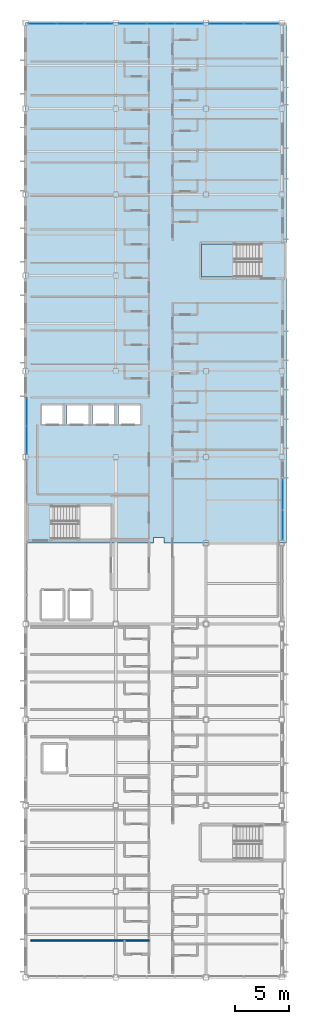
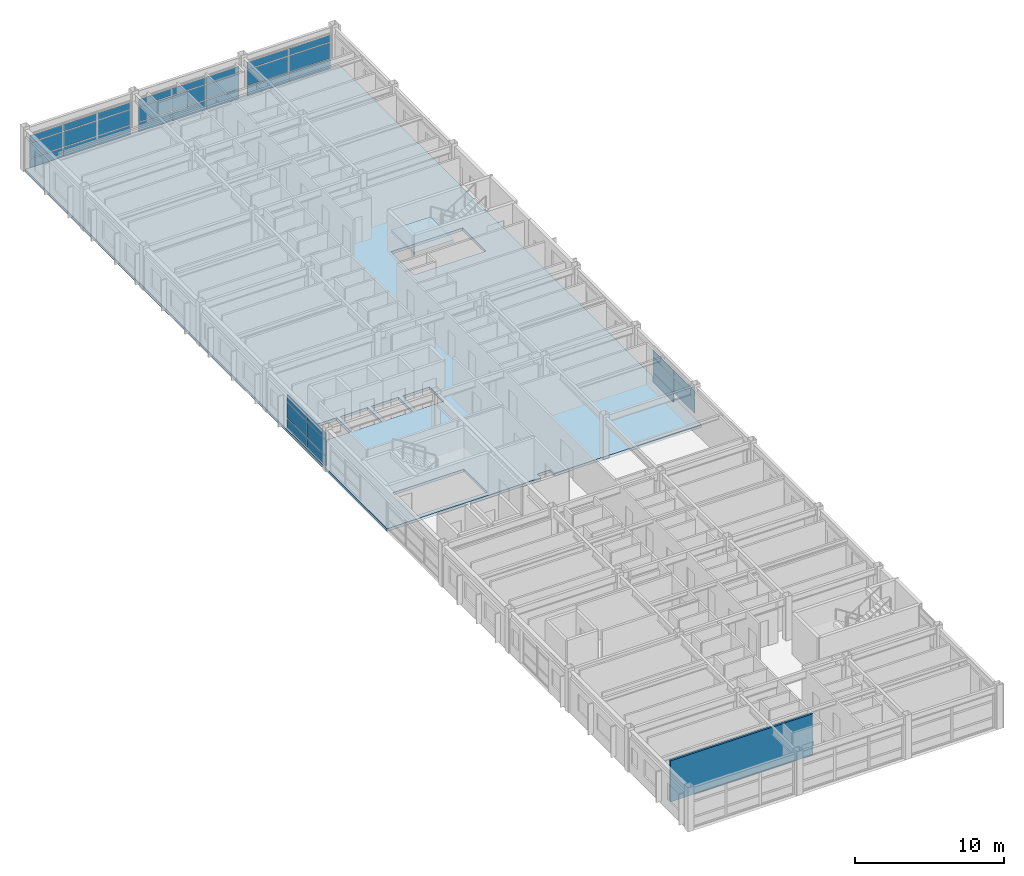
# One storey, part 22 of 35: 35 plates, 2 slabs, 1 wall, 6 elements without a shape of their own.
"""IFC4 building model written with IfcOpenShell, lengths in metres."""

from ifc_helpers import new_model, si_unit, direction, frame, frame_2d, origin, origin_2d, place, context, subcontext, project, spatial, polyline, rectangle, outline, extrude, material, layer, layer_set, type_object, element, aggregate, save


model = new_model("IFC4")

# Units and contexts
model_context = context("Model", 3, precision=1e-05, world=origin(), true_north=direction((0.0, 1.0)))
body_context = subcontext(model_context, "Body", "Model", "MODEL_VIEW")
ifc_project = project(units=[si_unit("LENGTHUNIT", "METRE"), si_unit("AREAUNIT", "SQUARE_METRE"), si_unit("VOLUMEUNIT", "CUBIC_METRE"), si_unit("PLANEANGLEUNIT", "RADIAN"), si_unit("MASSUNIT", "GRAM", prefix="KILO")], contexts=[model_context])

# Site, building, storey
site_placement = place(None, origin())
site = spatial("IfcSite", under=ifc_project, at=site_placement, CompositionType="ELEMENT")
building_placement = place(site_placement, origin())
building = spatial("IfcBuilding", under=site, at=building_placement, Name="Kazehara Bluff Congress Hotel", CompositionType="ELEMENT")
storey_placement = place(building_placement, frame((0.0, 0.0, 35.39990234375)))
storey = spatial("IfcBuildingStorey", under=building, at=storey_placement, Name="L08", CompositionType="ELEMENT", Elevation=35.39990234375)

# Curtain wall, plates
ifc_material_1 = material(Name="Anodised aluminium", Category="aluminium")
ifc_layer_1 = layer(ifc_material_1, 0.159912109375)
ifc_layer_set_1 = layer_set([ifc_layer_1], Name="Anodised aluminium")
curtain_wall_type_1 = type_object("IfcCurtainWallType", Name="TP-CW-189", PredefinedType="NOTDEFINED", material=ifc_layer_set_1)
curtain_wall_1_placement = place(storey_placement, origin())
curtain_wall_1 = element("IfcCurtainWall", 1, at=curtain_wall_1_placement, inside=storey, type_object=curtain_wall_type_1, Name="L08 curtain wall CW-189 CW-ENC-V5-L08-16765-5155", PredefinedType="NOTDEFINED")
ifc_material_2 = material(Name="Insulated low-E double glazing", Category="glass")
ifc_layer_2 = layer(ifc_material_2, 0.028076171875)
ifc_layer_set_2 = layer_set([ifc_layer_2], Name="Insulated low-E double glazing")
plate_type = type_object("IfcPlateType", Name="TP-CWP-01", PredefinedType="CURTAIN_PANEL", material=ifc_layer_set_2)
plate_1_placement = place(storey_placement, frame((167.64990234375, 52.9599609375, 0.06005859375), z_axis=(0.0, 0.0, 1.0), x_axis=(0.0, -1.0, 0.0)))
plate_1 = element("IfcPlate", 2, at=plate_1_placement, type_object=plate_type, Name="CW-189 panel 1.1", PredefinedType="CURTAIN_PANEL", context=body_context, shape_type="SweptSolid", body=[
    extrude(rectangle(XDim=2.760009765625, YDim=0.028076171875, at=origin_2d()), origin(), (0.0, 0.0, 1.0), 0.735107421875),
])
plate_2_placement = place(storey_placement, frame((167.64990234375, 52.9599609375, 0.85498046875), z_axis=(0.0, 0.0, 1.0), x_axis=(0.0, -1.0, 0.0)))
plate_2 = element("IfcPlate", 3, at=plate_2_placement, type_object=plate_type, Name="CW-189 panel 1.2", PredefinedType="CURTAIN_PANEL", context=body_context, shape_type="SweptSolid", body=[
    extrude(rectangle(XDim=2.760009765625, YDim=0.028076171875, at=origin_2d()), origin(), (0.0, 0.0, 1.0), 1.219970703125),
])
plate_3_placement = place(storey_placement, frame((167.64990234375, 52.9599609375, 2.135009765625), z_axis=(0.0, 0.0, 1.0), x_axis=(0.0, -1.0, 0.0)))
plate_3 = element("IfcPlate", 4, at=plate_3_placement, type_object=plate_type, Name="CW-189 panel 1.3", PredefinedType="CURTAIN_PANEL", context=body_context, shape_type="SweptSolid", body=[
    extrude(rectangle(XDim=2.760009765625, YDim=0.028076171875, at=origin_2d()), origin(), (0.0, 0.0, 1.0), 0.56005859375),
])
plate_4_placement = place(storey_placement, frame((167.64990234375, 50.139892578125, 0.85498046875), z_axis=(0.0, 0.0, 1.0), x_axis=(0.0, -1.0, 0.0)))
plate_4 = element("IfcPlate", 5, at=plate_4_placement, type_object=plate_type, Name="CW-189 panel 2.2", PredefinedType="CURTAIN_PANEL", context=body_context, shape_type="SweptSolid", body=[
    extrude(rectangle(XDim=2.760009765625, YDim=0.028076171875, at=origin_2d()), origin(), (0.0, 0.0, 1.0), 1.219970703125),
])
plate_5_placement = place(storey_placement, frame((167.64990234375, 50.139892578125, 2.135009765625), z_axis=(0.0, 0.0, 1.0), x_axis=(0.0, -1.0, 0.0)))
plate_5 = element("IfcPlate", 6, at=plate_5_placement, type_object=plate_type, Name="CW-189 panel 2.3", PredefinedType="CURTAIN_PANEL", context=body_context, shape_type="SweptSolid", body=[
    extrude(rectangle(XDim=2.760009765625, YDim=0.028076171875, at=origin_2d()), origin(), (0.0, 0.0, 1.0), 0.56005859375),
])
aggregate(curtain_wall_1, [plate_1, plate_2, plate_3, plate_4, plate_5])

ifc_material_3 = material(Name="Anodised aluminium", Category="aluminium")
ifc_layer_3 = layer(ifc_material_3, 0.159912109375)
ifc_layer_set_3 = layer_set([ifc_layer_3], Name="Anodised aluminium")
curtain_wall_type_2 = type_object("IfcCurtainWallType", Name="TP-CW-185", PredefinedType="NOTDEFINED", material=ifc_layer_set_3)
curtain_wall_2_placement = place(storey_placement, origin())
curtain_wall_2 = element("IfcCurtainWall", 7, at=curtain_wall_2_placement, inside=storey, type_object=curtain_wall_type_2, Name="L08 curtain wall CW-185 CW-ENC-V5-L08-14790-9680", PredefinedType="NOTDEFINED")
plate_6_placement = place(storey_placement, frame((145.282958984375, 96.800048828125, 0.065185546875), z_axis=(0.0, 0.0, 1.0), x_axis=(1.0, 0.0, 0.0)))
plate_6 = element("IfcPlate", 8, at=plate_6_placement, type_object=plate_type, Name="CW-185 panel 1.1", PredefinedType="CURTAIN_PANEL", context=body_context, shape_type="SweptSolid", body=[
    extrude(rectangle(XDim=2.535888671875, YDim=0.028076171875, at=origin_2d()), origin(), (0.0, 0.0, 1.0), 0.7275390625),
])
plate_7_placement = place(storey_placement, frame((145.282958984375, 96.800048828125, 0.857421875), z_axis=(0.0, 0.0, 1.0), x_axis=(1.0, 0.0, 0.0)))
plate_7 = element("IfcPlate", 9, at=plate_7_placement, type_object=plate_type, Name="CW-185 panel 1.2", PredefinedType="CURTAIN_PANEL", context=body_context, shape_type="SweptSolid", body=[
    extrude(rectangle(XDim=2.535888671875, YDim=0.028076171875, at=origin_2d()), origin(), (0.0, 0.0, 1.0), 1.215087890625),
])
plate_8_placement = place(storey_placement, frame((145.282958984375, 96.800048828125, 2.1376953125), z_axis=(0.0, 0.0, 1.0), x_axis=(1.0, 0.0, 0.0)))
plate_8 = element("IfcPlate", 10, at=plate_8_placement, type_object=plate_type, Name="CW-185 panel 1.3", PredefinedType="CURTAIN_PANEL", context=body_context, shape_type="SweptSolid", body=[
    extrude(rectangle(XDim=2.535888671875, YDim=0.028076171875, at=origin_2d()), origin(), (0.0, 0.0, 1.0), 0.552490234375),
])
plate_9_placement = place(storey_placement, frame((147.89990234375, 96.800048828125, 0.065185546875), z_axis=(0.0, 0.0, 1.0), x_axis=(1.0, 0.0, 0.0)))
plate_9 = element("IfcPlate", 11, at=plate_9_placement, type_object=plate_type, Name="CW-185 panel 2.1", PredefinedType="CURTAIN_PANEL", context=body_context, shape_type="SweptSolid", body=[
    extrude(rectangle(XDim=2.568359375, YDim=0.028076171875, at=origin_2d()), origin(), (0.0, 0.0, 1.0), 0.7275390625),
])
plate_10_placement = place(storey_placement, frame((147.89990234375, 96.800048828125, 0.857421875), z_axis=(0.0, 0.0, 1.0), x_axis=(1.0, 0.0, 0.0)))
plate_10 = element("IfcPlate", 12, at=plate_10_placement, type_object=plate_type, Name="CW-185 panel 2.2", PredefinedType="CURTAIN_PANEL", context=body_context, shape_type="SweptSolid", body=[
    extrude(rectangle(XDim=2.568359375, YDim=0.028076171875, at=origin_2d()), origin(), (0.0, 0.0, 1.0), 1.215087890625),
])
plate_11_placement = place(storey_placement, frame((147.89990234375, 96.800048828125, 2.1376953125), z_axis=(0.0, 0.0, 1.0), x_axis=(1.0, 0.0, 0.0)))
plate_11 = element("IfcPlate", 13, at=plate_11_placement, type_object=plate_type, Name="CW-185 panel 2.3", PredefinedType="CURTAIN_PANEL", context=body_context, shape_type="SweptSolid", body=[
    extrude(rectangle(XDim=2.568359375, YDim=0.028076171875, at=origin_2d()), origin(), (0.0, 0.0, 1.0), 0.552490234375),
])
plate_12_placement = place(storey_placement, frame((150.51708984375, 96.800048828125, 0.065185546875), z_axis=(0.0, 0.0, 1.0), x_axis=(1.0, 0.0, 0.0)))
plate_12 = element("IfcPlate", 14, at=plate_12_placement, type_object=plate_type, Name="CW-185 panel 3.1", PredefinedType="CURTAIN_PANEL", context=body_context, shape_type="SweptSolid", body=[
    extrude(rectangle(XDim=2.535888671875, YDim=0.028076171875, at=origin_2d()), origin(), (0.0, 0.0, 1.0), 0.7275390625),
])
plate_13_placement = place(storey_placement, frame((150.51708984375, 96.800048828125, 0.857421875), z_axis=(0.0, 0.0, 1.0), x_axis=(1.0, 0.0, 0.0)))
plate_13 = element("IfcPlate", 15, at=plate_13_placement, type_object=plate_type, Name="CW-185 panel 3.2", PredefinedType="CURTAIN_PANEL", context=body_context, shape_type="SweptSolid", body=[
    extrude(rectangle(XDim=2.535888671875, YDim=0.028076171875, at=origin_2d()), origin(), (0.0, 0.0, 1.0), 1.215087890625),
])
plate_14_placement = place(storey_placement, frame((150.51708984375, 96.800048828125, 2.1376953125), z_axis=(0.0, 0.0, 1.0), x_axis=(1.0, 0.0, 0.0)))
plate_14 = element("IfcPlate", 16, at=plate_14_placement, type_object=plate_type, Name="CW-185 panel 3.3", PredefinedType="CURTAIN_PANEL", context=body_context, shape_type="SweptSolid", body=[
    extrude(rectangle(XDim=2.535888671875, YDim=0.028076171875, at=origin_2d()), origin(), (0.0, 0.0, 1.0), 0.552490234375),
])
aggregate(curtain_wall_2, [plate_6, plate_7, plate_8, plate_9, plate_10, plate_11, plate_12, plate_13, plate_14])

curtain_wall_3_placement = place(storey_placement, origin())
curtain_wall_3 = element("IfcCurtainWall", 17, at=curtain_wall_3_placement, inside=storey, type_object=curtain_wall_type_2, Name="L08 curtain wall CW-185 CW-ENC-V5-L08-15630-9680", PredefinedType="NOTDEFINED")
plate_15_placement = place(storey_placement, frame((153.682861328125, 96.800048828125, 0.065185546875), z_axis=(0.0, 0.0, 1.0), x_axis=(1.0, 0.0, 0.0)))
plate_15 = element("IfcPlate", 18, at=plate_15_placement, type_object=plate_type, Name="CW-185 panel 1.1", PredefinedType="CURTAIN_PANEL", context=body_context, shape_type="SweptSolid", body=[
    extrude(rectangle(XDim=2.535888671875, YDim=0.028076171875, at=origin_2d()), origin(), (0.0, 0.0, 1.0), 0.7275390625),
])
plate_16_placement = place(storey_placement, frame((153.682861328125, 96.800048828125, 0.857421875), z_axis=(0.0, 0.0, 1.0), x_axis=(1.0, 0.0, 0.0)))
plate_16 = element("IfcPlate", 19, at=plate_16_placement, type_object=plate_type, Name="CW-185 panel 1.2", PredefinedType="CURTAIN_PANEL", context=body_context, shape_type="SweptSolid", body=[
    extrude(rectangle(XDim=2.535888671875, YDim=0.028076171875, at=origin_2d()), origin(), (0.0, 0.0, 1.0), 1.215087890625),
])
plate_17_placement = place(storey_placement, frame((153.682861328125, 96.800048828125, 2.1376953125), z_axis=(0.0, 0.0, 1.0), x_axis=(1.0, 0.0, 0.0)))
plate_17 = element("IfcPlate", 20, at=plate_17_placement, type_object=plate_type, Name="CW-185 panel 1.3", PredefinedType="CURTAIN_PANEL", context=body_context, shape_type="SweptSolid", body=[
    extrude(rectangle(XDim=2.535888671875, YDim=0.028076171875, at=origin_2d()), origin(), (0.0, 0.0, 1.0), 0.552490234375),
])
plate_18_placement = place(storey_placement, frame((156.300048828125, 96.800048828125, 0.065185546875), z_axis=(0.0, 0.0, 1.0), x_axis=(1.0, 0.0, 0.0)))
plate_18 = element("IfcPlate", 21, at=plate_18_placement, type_object=plate_type, Name="CW-185 panel 2.1", PredefinedType="CURTAIN_PANEL", context=body_context, shape_type="SweptSolid", body=[
    extrude(rectangle(XDim=2.568359375, YDim=0.028076171875, at=origin_2d()), origin(), (0.0, 0.0, 1.0), 0.7275390625),
])
plate_19_placement = place(storey_placement, frame((156.300048828125, 96.800048828125, 0.857421875), z_axis=(0.0, 0.0, 1.0), x_axis=(1.0, 0.0, 0.0)))
plate_19 = element("IfcPlate", 22, at=plate_19_placement, type_object=plate_type, Name="CW-185 panel 2.2", PredefinedType="CURTAIN_PANEL", context=body_context, shape_type="SweptSolid", body=[
    extrude(rectangle(XDim=2.568359375, YDim=0.028076171875, at=origin_2d()), origin(), (0.0, 0.0, 1.0), 1.215087890625),
])
plate_20_placement = place(storey_placement, frame((156.300048828125, 96.800048828125, 2.1376953125), z_axis=(0.0, 0.0, 1.0), x_axis=(1.0, 0.0, 0.0)))
plate_20 = element("IfcPlate", 23, at=plate_20_placement, type_object=plate_type, Name="CW-185 panel 2.3", PredefinedType="CURTAIN_PANEL", context=body_context, shape_type="SweptSolid", body=[
    extrude(rectangle(XDim=2.568359375, YDim=0.028076171875, at=origin_2d()), origin(), (0.0, 0.0, 1.0), 0.552490234375),
])
plate_21_placement = place(storey_placement, frame((158.9169921875, 96.800048828125, 0.065185546875), z_axis=(0.0, 0.0, 1.0), x_axis=(1.0, 0.0, 0.0)))
plate_21 = element("IfcPlate", 24, at=plate_21_placement, type_object=plate_type, Name="CW-185 panel 3.1", PredefinedType="CURTAIN_PANEL", context=body_context, shape_type="SweptSolid", body=[
    extrude(rectangle(XDim=2.535888671875, YDim=0.028076171875, at=origin_2d()), origin(), (0.0, 0.0, 1.0), 0.7275390625),
])
plate_22_placement = place(storey_placement, frame((158.9169921875, 96.800048828125, 0.857421875), z_axis=(0.0, 0.0, 1.0), x_axis=(1.0, 0.0, 0.0)))
plate_22 = element("IfcPlate", 25, at=plate_22_placement, type_object=plate_type, Name="CW-185 panel 3.2", PredefinedType="CURTAIN_PANEL", context=body_context, shape_type="SweptSolid", body=[
    extrude(rectangle(XDim=2.535888671875, YDim=0.028076171875, at=origin_2d()), origin(), (0.0, 0.0, 1.0), 1.215087890625),
])
plate_23_placement = place(storey_placement, frame((158.9169921875, 96.800048828125, 2.1376953125), z_axis=(0.0, 0.0, 1.0), x_axis=(1.0, 0.0, 0.0)))
plate_23 = element("IfcPlate", 26, at=plate_23_placement, type_object=plate_type, Name="CW-185 panel 3.3", PredefinedType="CURTAIN_PANEL", context=body_context, shape_type="SweptSolid", body=[
    extrude(rectangle(XDim=2.535888671875, YDim=0.028076171875, at=origin_2d()), origin(), (0.0, 0.0, 1.0), 0.552490234375),
])
aggregate(curtain_wall_3, [plate_15, plate_16, plate_17, plate_18, plate_19, plate_20, plate_21, plate_22, plate_23])

ifc_material_4 = material(Name="Anodised aluminium", Category="aluminium")
ifc_layer_4 = layer(ifc_material_4, 0.159912109375)
ifc_layer_set_4 = layer_set([ifc_layer_4], Name="Anodised aluminium")
curtain_wall_type_3 = type_object("IfcCurtainWallType", Name="TP-CW-186", PredefinedType="NOTDEFINED", material=ifc_layer_set_4)
curtain_wall_4_placement = place(storey_placement, origin())
curtain_wall_4 = element("IfcCurtainWall", 27, at=curtain_wall_4_placement, inside=storey, type_object=curtain_wall_type_3, Name="L08 curtain wall CW-186 CW-ENC-V5-L08-16402-9680", PredefinedType="NOTDEFINED")
plate_24_placement = place(storey_placement, frame((162.40380859375, 96.800048828125, 0.06494140625), z_axis=(0.0, 0.0, 1.0), x_axis=(1.0, 0.0, 0.0)))
plate_24 = element("IfcPlate", 28, at=plate_24_placement, type_object=plate_type, Name="CW-186 panel 1.1", PredefinedType="CURTAIN_PANEL", context=body_context, shape_type="SweptSolid", body=[
    extrude(rectangle(XDim=3.177490234375, YDim=0.028076171875, at=origin_2d()), origin(), (0.0, 0.0, 1.0), 0.757568359375),
])
plate_25_placement = place(storey_placement, frame((162.40380859375, 96.800048828125, 0.8876953125), z_axis=(0.0, 0.0, 1.0), x_axis=(1.0, 0.0, 0.0)))
plate_25 = element("IfcPlate", 29, at=plate_25_placement, type_object=plate_type, Name="CW-186 panel 1.2", PredefinedType="CURTAIN_PANEL", context=body_context, shape_type="SweptSolid", body=[
    extrude(rectangle(XDim=3.177490234375, YDim=0.028076171875, at=origin_2d()), origin(), (0.0, 0.0, 1.0), 1.284912109375),
])
plate_26_placement = place(storey_placement, frame((162.40380859375, 96.800048828125, 2.23779296875), z_axis=(0.0, 0.0, 1.0), x_axis=(1.0, 0.0, 0.0)))
plate_26 = element("IfcPlate", 30, at=plate_26_placement, type_object=plate_type, Name="CW-186 panel 1.3", PredefinedType="CURTAIN_PANEL", context=body_context, shape_type="SweptSolid", body=[
    extrude(rectangle(XDim=3.177490234375, YDim=0.028076171875, at=origin_2d()), origin(), (0.0, 0.0, 1.0), 0.552490234375),
])
plate_27_placement = place(storey_placement, frame((165.646240234375, 96.800048828125, 0.06494140625), z_axis=(0.0, 0.0, 1.0), x_axis=(1.0, 0.0, 0.0)))
plate_27 = element("IfcPlate", 31, at=plate_27_placement, type_object=plate_type, Name="CW-186 panel 2.1", PredefinedType="CURTAIN_PANEL", context=body_context, shape_type="SweptSolid", body=[
    extrude(rectangle(XDim=3.177490234375, YDim=0.028076171875, at=origin_2d()), origin(), (0.0, 0.0, 1.0), 0.757568359375),
])
plate_28_placement = place(storey_placement, frame((165.646240234375, 96.800048828125, 0.8876953125), z_axis=(0.0, 0.0, 1.0), x_axis=(1.0, 0.0, 0.0)))
plate_28 = element("IfcPlate", 32, at=plate_28_placement, type_object=plate_type, Name="CW-186 panel 2.2", PredefinedType="CURTAIN_PANEL", context=body_context, shape_type="SweptSolid", body=[
    extrude(rectangle(XDim=3.177490234375, YDim=0.028076171875, at=origin_2d()), origin(), (0.0, 0.0, 1.0), 1.284912109375),
])
plate_29_placement = place(storey_placement, frame((165.646240234375, 96.800048828125, 2.23779296875), z_axis=(0.0, 0.0, 1.0), x_axis=(1.0, 0.0, 0.0)))
plate_29 = element("IfcPlate", 33, at=plate_29_placement, type_object=plate_type, Name="CW-186 panel 2.3", PredefinedType="CURTAIN_PANEL", context=body_context, shape_type="SweptSolid", body=[
    extrude(rectangle(XDim=3.177490234375, YDim=0.028076171875, at=origin_2d()), origin(), (0.0, 0.0, 1.0), 0.552490234375),
])
aggregate(curtain_wall_4, [plate_24, plate_25, plate_26, plate_27, plate_28, plate_29])

ifc_material_5 = material(Name="Anodised aluminium", Category="aluminium")
ifc_layer_5 = layer(ifc_material_5, 0.159912109375)
ifc_layer_set_5 = layer_set([ifc_layer_5], Name="Anodised aluminium")
curtain_wall_type_4 = type_object("IfcCurtainWallType", Name="TP-CW-192", PredefinedType="NOTDEFINED", material=ifc_layer_set_5)
curtain_wall_5_placement = place(storey_placement, origin())
curtain_wall_5 = element("IfcCurtainWall", 34, at=curtain_wall_5_placement, inside=storey, type_object=curtain_wall_type_4, Name="L08 curtain wall CW-192 CW-ENC-V5-L08-14380-5935", PredefinedType="NOTDEFINED")
plate_30_placement = place(storey_placement, frame((143.800048828125, 58.0400390625, 0.06005859375), z_axis=(0.0, 0.0, 1.0), x_axis=(0.0, 1.0, 0.0)))
plate_30 = element("IfcPlate", 35, at=plate_30_placement, type_object=plate_type, Name="CW-192 panel 1.1", PredefinedType="CURTAIN_PANEL", context=body_context, shape_type="SweptSolid", body=[
    extrude(rectangle(XDim=2.56005859375, YDim=0.028076171875, at=origin_2d()), origin(), (0.0, 0.0, 1.0), 0.75),
])
plate_31_placement = place(storey_placement, frame((143.800048828125, 58.0400390625, 0.8701171875), z_axis=(0.0, 0.0, 1.0), x_axis=(0.0, 1.0, 0.0)))
plate_31 = element("IfcPlate", 36, at=plate_31_placement, type_object=plate_type, Name="CW-192 panel 1.2", PredefinedType="CURTAIN_PANEL", context=body_context, shape_type="SweptSolid", body=[
    extrude(rectangle(XDim=2.56005859375, YDim=0.028076171875, at=origin_2d()), origin(), (0.0, 0.0, 1.0), 1.2548828125),
])
plate_32_placement = place(storey_placement, frame((143.800048828125, 58.0400390625, 2.18505859375), z_axis=(0.0, 0.0, 1.0), x_axis=(0.0, 1.0, 0.0)))
plate_32 = element("IfcPlate", 37, at=plate_32_placement, type_object=plate_type, Name="CW-192 panel 1.3", PredefinedType="CURTAIN_PANEL", context=body_context, shape_type="SweptSolid", body=[
    extrude(rectangle(XDim=2.56005859375, YDim=0.028076171875, at=origin_2d()), origin(), (0.0, 0.0, 1.0), 0.56005859375),
])
plate_33_placement = place(storey_placement, frame((143.800048828125, 60.659912109375, 0.06005859375), z_axis=(0.0, 0.0, 1.0), x_axis=(0.0, 1.0, 0.0)))
plate_33 = element("IfcPlate", 38, at=plate_33_placement, type_object=plate_type, Name="CW-192 panel 2.1", PredefinedType="CURTAIN_PANEL", context=body_context, shape_type="SweptSolid", body=[
    extrude(rectangle(XDim=2.56005859375, YDim=0.028076171875, at=origin_2d()), origin(), (0.0, 0.0, 1.0), 0.75),
])
plate_34_placement = place(storey_placement, frame((143.800048828125, 60.659912109375, 0.8701171875), z_axis=(0.0, 0.0, 1.0), x_axis=(0.0, 1.0, 0.0)))
plate_34 = element("IfcPlate", 39, at=plate_34_placement, type_object=plate_type, Name="CW-192 panel 2.2", PredefinedType="CURTAIN_PANEL", context=body_context, shape_type="SweptSolid", body=[
    extrude(rectangle(XDim=2.56005859375, YDim=0.028076171875, at=origin_2d()), origin(), (0.0, 0.0, 1.0), 1.2548828125),
])
plate_35_placement = place(storey_placement, frame((143.800048828125, 60.659912109375, 2.18505859375), z_axis=(0.0, 0.0, 1.0), x_axis=(0.0, 1.0, 0.0)))
plate_35 = element("IfcPlate", 40, at=plate_35_placement, type_object=plate_type, Name="CW-192 panel 2.3", PredefinedType="CURTAIN_PANEL", context=body_context, shape_type="SweptSolid", body=[
    extrude(rectangle(XDim=2.56005859375, YDim=0.028076171875, at=origin_2d()), origin(), (0.0, 0.0, 1.0), 0.56005859375),
])
aggregate(curtain_wall_5, [plate_30, plate_31, plate_32, plate_33, plate_34, plate_35])

# Slab
ifc_material_6 = material(Name="Concrete C36/45", Category="concrete")
ifc_layer_6 = layer(ifc_material_6, 0.219970703125)
ifc_layer_set_6 = layer_set([ifc_layer_6], Name="Concrete C36/45")
slab_type_1 = type_object("IfcSlabType", Name="TP-SL-220", PredefinedType="FLOOR", material=ifc_layer_set_6)
slab_1_placement = place(storey_placement, frame((0.0, 0.0, -0.219970703125)))
element("IfcSlab", 41, at=slab_1_placement, inside=storey, type_object=slab_type_1, Name="L08 V5 composite floor slab N", PredefinedType="FLOOR", context=body_context, shape_type="SweptSolid", body=[
    extrude(outline(polyline([(168.0, 96.89990234375), (168.0, 48.449951171875), (156.60009765625, 48.449951171875), (156.60009765625, 48.949951171875), (155.60009765625, 48.949951171875), (155.60009765625, 48.449951171875), (143.699951171875, 48.449951171875), (143.699951171875, 96.89990234375), (168.0, 96.89990234375)]), holes=[polyline([(146.125, 48.800048828125), (151.64990234375, 48.800048828125), (151.64990234375, 51.89990234375), (146.125, 51.89990234375), (146.125, 48.800048828125)]), polyline([(165.625, 76.300048828125), (160.10009765625, 76.300048828125), (160.10009765625, 73.199951171875), (165.625, 73.199951171875), (165.625, 76.300048828125)]), polyline([(145.14990234375, 59.449951171875), (147.25, 59.449951171875), (147.25, 61.35009765625), (145.14990234375, 61.35009765625), (145.14990234375, 59.449951171875)]), polyline([(147.550048828125, 59.449951171875), (149.64990234375, 59.449951171875), (149.64990234375, 61.35009765625), (147.550048828125, 61.35009765625), (147.550048828125, 59.449951171875)]), polyline([(149.949951171875, 59.449951171875), (152.050048828125, 59.449951171875), (152.050048828125, 61.35009765625), (149.949951171875, 61.35009765625), (149.949951171875, 59.449951171875)]), polyline([(152.35009765625, 59.449951171875), (154.449951171875, 59.449951171875), (154.449951171875, 61.35009765625), (152.35009765625, 61.35009765625), (152.35009765625, 59.449951171875)])]), origin(), (0.0, 0.0, 1.0), 0.219970703125),
])

# Stair, slab
ifc_material_7 = material(Name="Concrete C36/45", Category="concrete")
stair_type = type_object("IfcStairType", Name="TP-ST-T03", PredefinedType="HALF_TURN_STAIR", material=ifc_material_7)
stair_placement = place(storey_placement, origin())
stair = element("IfcStair", 42, at=stair_placement, inside=storey, type_object=stair_type, Name="L08 Escape stair ST-12", PredefinedType="HALF_TURN_STAIR")
ifc_material_8 = material(Name="Concrete C36/45", Category="concrete")
ifc_layer_7 = layer(ifc_material_8, 0.199951171875)
ifc_layer_set_7 = layer_set([ifc_layer_7], Name="Concrete C36/45")
slab_type_2 = type_object("IfcSlabType", Name="TP-SLD-200", PredefinedType="LANDING", material=ifc_layer_set_7)
slab_2_placement = place(storey_placement, frame((0.0, 0.0, 1.60009765625)))
slab_2 = element("IfcSlab", 43, at=slab_2_placement, type_object=slab_type_2, Name="ST-12 landing 1", PredefinedType="LANDING", context=body_context, shape_type="SweptSolid", body=[
    extrude(outline(polyline([(163.1298828125, 76.300048828125), (160.10009765625, 76.300048828125), (160.10009765625, 73.199951171875), (163.1298828125, 73.199951171875), (163.1298828125, 76.300048828125)])), origin(), (0.0, 0.0, 1.0), 0.199951171875),
])
aggregate(stair, [slab_2])

# Wall
ifc_material_9 = material(Name="Fire-rated gypsum board stud partition")
ifc_layer_8 = layer(ifc_material_9, 0.14990234375)
ifc_layer_set_8 = layer_set([ifc_layer_8], Name="Fire-rated gypsum board stud partition")
wall_type = type_object("IfcWallType", Name="TP-PT-150", PredefinedType="PARTITIONING", material=ifc_layer_set_8)
wall_placement = place(storey_placement, frame((144.199951171875, 11.43994140625, 0.0), z_axis=(0.0, 0.0, 1.0), x_axis=(1.0, 0.0, 0.0)))
element("IfcWall", 44, at=wall_placement, inside=storey, type_object=wall_type, Name="L08 partition PT-150 1014", PredefinedType="PARTITIONING", context=body_context, shape_type="SweptSolid", body=[
    extrude(rectangle(XDim=11.0, YDim=0.14990234375, at=frame_2d((5.5, 0.0))), origin(), (0.0, 0.0, 1.0), 3.364990234375),
])

save(model, "model.ifc")
